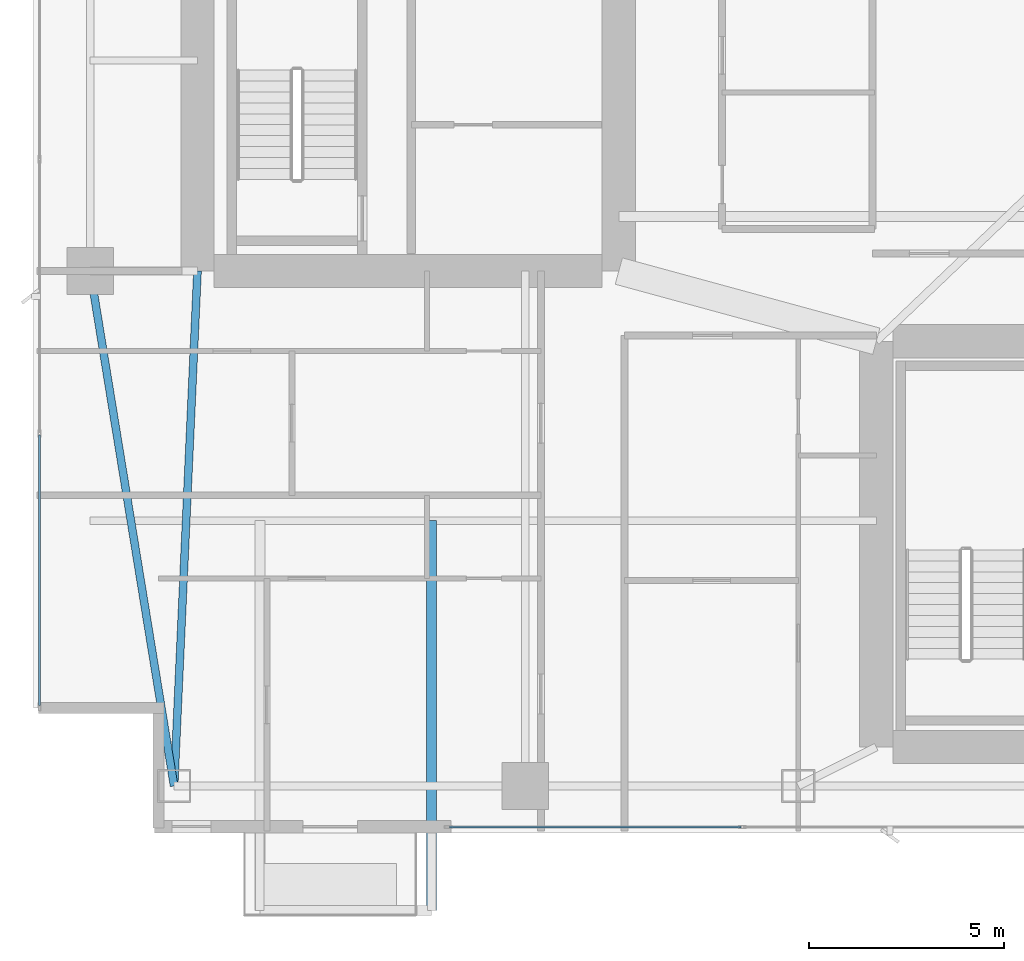
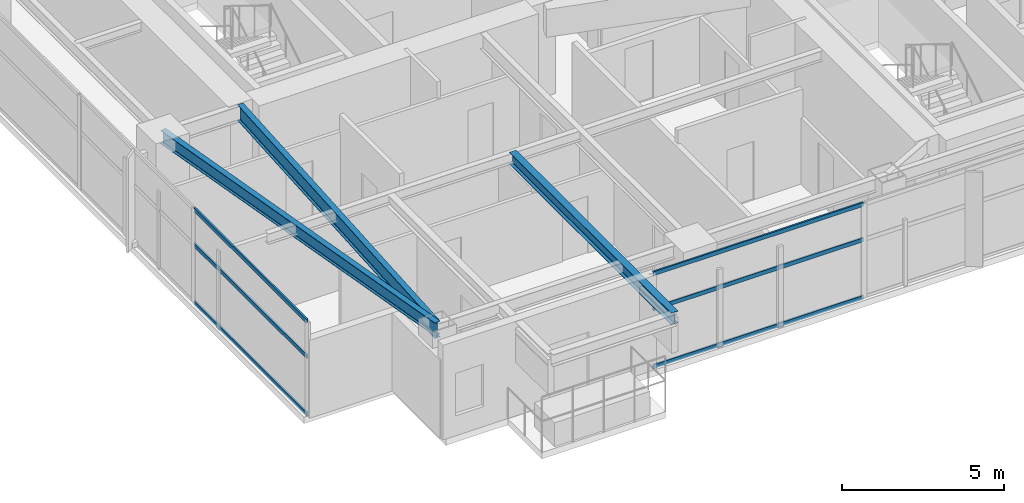
# One storey, part 3 of 29: 6 members, 3 beams, 2 elements without a shape of their own.
"""IFC4 building model written with IfcOpenShell, lengths in metres."""

from ifc_helpers import new_model, si_unit, direction, frame, origin, origin_2d, place, context, subcontext, project, spatial, hollow_rectangle, i_section, extrude, material, layer, layer_set, material_profile, profile_set, type_object, element, aggregate, save


model = new_model("IFC4")

# Units and contexts
model_context = context("Model", 3, precision=1e-05, world=origin(), true_north=direction((0.0, 1.0)))
body_context = subcontext(model_context, "Body", "Model", "MODEL_VIEW")
ifc_project = project(units=[si_unit("LENGTHUNIT", "METRE"), si_unit("AREAUNIT", "SQUARE_METRE"), si_unit("VOLUMEUNIT", "CUBIC_METRE"), si_unit("PLANEANGLEUNIT", "RADIAN"), si_unit("MASSUNIT", "GRAM", prefix="KILO")], contexts=[model_context])

# Site, building, storey
site_placement = place(None, origin())
site = spatial("IfcSite", under=ifc_project, at=site_placement, CompositionType="ELEMENT")
building_placement = place(site_placement, origin())
building = spatial("IfcBuilding", under=site, at=building_placement, Name="Calvorn Quay Hotel", CompositionType="ELEMENT")
storey_placement = place(building_placement, frame((0.0, 0.0, 148.5)))
storey = spatial("IfcBuildingStorey", under=building, at=storey_placement, Name="L36", CompositionType="ELEMENT", Elevation=148.5)

# Beams
ifc_material_1 = material(Name="Steel Q355B", Category="steel")
ifc_material_profile_1 = material_profile(ifc_material_1, i_section(OverallWidth=0.25, OverallDepth=0.449951171875, WebThickness=0.011962890625, FlangeThickness=0.01611328125, FilletRadius=0.01611328125, at=origin_2d()), Name="HN450x250x12x16")
ifc_profile_set_1 = profile_set([ifc_material_profile_1], Name="Steel Q355B")
beam_type_1 = type_object("IfcBeamType", Name="BM-CANT-BALC", PredefinedType="BEAM", material=ifc_profile_set_1)
beam_1_placement = place(storey_placement, frame((10.199951171875, 10.39990234375, 3.31494140625), z_axis=(0.0, -1.0, 0.0), x_axis=(1.0, 0.0, 0.0)))
element("IfcBeam", 1, at=beam_1_placement, inside=storey, type_object=beam_type_1, Name="Cantilever Balcony Beam BCB-L37-2B", PredefinedType="BEAM", context=body_context, shape_type="SweptSolid", body=[
    extrude(i_section(OverallWidth=0.25, OverallDepth=0.449951171875, WebThickness=0.011962890625, FlangeThickness=0.01611328125, FilletRadius=0.01611328125, at=origin_2d()), origin(), (0.0, 0.0, 1.0), 9.989990234375),
])
ifc_material_2 = material(Name="Steel Q355B", Category="steel")
ifc_material_profile_2 = material_profile(ifc_material_2, i_section(OverallWidth=0.199951171875, OverallDepth=0.60009765625, WebThickness=0.010986328125, FlangeThickness=0.01708984375, FilletRadius=0.01806640625, at=origin_2d()), Name="HN600x200x11x17")
ifc_profile_set_2 = profile_set([ifc_material_profile_2], Name="Steel Q355B")
beam_type_2 = type_object("IfcBeamType", Name="BM-GIRD-TYP", PredefinedType="BEAM", material=ifc_profile_set_2)
beam_2_placement = place(storey_placement, frame((3.60009765625, 3.60009765625, 3.239990234375), z_axis=(0.045396765494, 0.998969035397, 0.0), x_axis=(-0.998969035397, 0.045396765494, 0.0)))
element("IfcBeam", 2, at=beam_2_placement, inside=storey, type_object=beam_type_2, Name="Beam BG-L36-W0", PredefinedType="BEAM", context=body_context, shape_type="SweptSolid", body=[
    extrude(i_section(OverallWidth=0.199951171875, OverallDepth=0.60009765625, WebThickness=0.010986328125, FlangeThickness=0.01708984375, FilletRadius=0.01806640625, at=origin_2d()), origin(), (0.0, 0.0, 1.0), 13.213623046875),
])
ifc_material_3 = material(Name="Steel Q355B", Category="steel")
ifc_material_profile_3 = material_profile(ifc_material_3, i_section(OverallWidth=0.199951171875, OverallDepth=0.5, WebThickness=0.010009765625, FlangeThickness=0.01611328125, FilletRadius=0.01611328125, at=origin_2d()), Name="HN500x200x10x16")
ifc_profile_set_3 = profile_set([ifc_material_profile_3], Name="Steel Q355B")
beam_type_3 = type_object("IfcBeamType", Name="BM-SPANDREL-Z1", PredefinedType="SPANDREL", material=ifc_profile_set_3)
beam_3_placement = place(storey_placement, frame((3.60009765625, 3.60009765625, 3.2900390625), z_axis=(-0.16077155054, 0.986991645627, 0.0), x_axis=(-0.986991645627, -0.16077155054, 0.0)))
element("IfcBeam", 3, at=beam_3_placement, inside=storey, type_object=beam_type_3, Name="Beam BSP-L36-W1", PredefinedType="SPANDREL", context=body_context, shape_type="SweptSolid", body=[
    extrude(i_section(OverallWidth=0.199951171875, OverallDepth=0.5, WebThickness=0.010009765625, FlangeThickness=0.01611328125, FilletRadius=0.01611328125, at=origin_2d()), origin(), (0.0, 0.0, 1.0), 13.3740234375),
])

# Curtain wall, members
ifc_material_4 = material(Name="Pale Anodised Aluminium and Low-E Glass", Category="aluminium")
ifc_layer = layer(ifc_material_4, 0.219970703125)
ifc_layer_set = layer_set([ifc_layer], Name="CW-SYS-Z2")
curtain_wall_type = type_object("IfcCurtainWallType", Name="CW-SYS-Z2", PredefinedType="NOTDEFINED", material=ifc_layer_set)
curtain_wall_1_placement = place(storey_placement, origin())
curtain_wall_1 = element("IfcCurtainWall", 4, at=curtain_wall_1_placement, inside=storey, type_object=curtain_wall_type, Name="Tower West Curtain Wall (L36)", PredefinedType="NOTDEFINED")
ifc_material_5 = material(Name="Pale Anodised Aluminium 6063-T6", Category="aluminium")
ifc_material_profile_4 = material_profile(ifc_material_5, hollow_rectangle(XDim=0.06005859375, YDim=0.14990234375, WallThickness=0.00341796875, at=origin_2d()), Name="ALU-T150x60x3.5")
ifc_profile_set_4 = profile_set([ifc_material_profile_4], Name="Pale Anodised Aluminium 6063-T6")
member_type = type_object("IfcMemberType", Name="CW-SYS-Z2-TRN", PredefinedType="USERDEFINED", material=ifc_profile_set_4)
member_1_placement = place(storey_placement, frame((0.14990234375, 5.659912109375, 0.030029296875), z_axis=(0.0, 1.0, 0.0), x_axis=(-1.0, 0.0, 0.0)))
member_1 = element("IfcMember", 5, at=member_1_placement, type_object=member_type, Name="CW-L36-W transom 1.1", ObjectType="TRANSOM", PredefinedType="USERDEFINED", context=body_context, shape_type="SweptSolid", body=[
    extrude(hollow_rectangle(XDim=0.06005859375, YDim=0.14990234375, WallThickness=0.00341796875, at=origin_2d()), origin(), (0.0, 0.0, 1.0), 6.943359375),
])
member_2_placement = place(storey_placement, frame((0.14990234375, 5.659912109375, 2.199951171875), z_axis=(0.0, 1.0, 0.0), x_axis=(-1.0, 0.0, 0.0)))
member_2 = element("IfcMember", 6, at=member_2_placement, type_object=member_type, Name="CW-L36-W transom 1.2", ObjectType="TRANSOM", PredefinedType="USERDEFINED", context=body_context, shape_type="SweptSolid", body=[
    extrude(hollow_rectangle(XDim=0.06005859375, YDim=0.14990234375, WallThickness=0.00341796875, at=origin_2d()), origin(), (0.0, 0.0, 1.0), 6.943359375),
])
member_3_placement = place(storey_placement, frame((0.14990234375, 5.659912109375, 3.530029296875), z_axis=(0.0, 1.0, 0.0), x_axis=(-1.0, 0.0, 0.0)))
member_3 = element("IfcMember", 7, at=member_3_placement, type_object=member_type, Name="CW-L36-W transom 1.3", ObjectType="TRANSOM", PredefinedType="USERDEFINED", context=body_context, shape_type="SweptSolid", body=[
    extrude(hollow_rectangle(XDim=0.06005859375, YDim=0.14990234375, WallThickness=0.00341796875, at=origin_2d()), origin(), (0.0, 0.0, 1.0), 6.943359375),
])
aggregate(curtain_wall_1, [member_1, member_2, member_3])

curtain_wall_2_placement = place(storey_placement, origin())
curtain_wall_2 = element("IfcCurtainWall", 8, at=curtain_wall_2_placement, inside=storey, type_object=curtain_wall_type, Name="Tower South Waterfront Curtain Wall (L36)", PredefinedType="NOTDEFINED")
member_4_placement = place(storey_placement, frame((10.659912109375, 2.550048828125, 0.030029296875), z_axis=(1.0, 0.0, 0.0), x_axis=(0.0, 1.0, 0.0)))
member_4 = element("IfcMember", 9, at=member_4_placement, type_object=member_type, Name="CW-L36-S transom 1.1", ObjectType="TRANSOM", PredefinedType="USERDEFINED", context=body_context, shape_type="SweptSolid", body=[
    extrude(hollow_rectangle(XDim=0.06005859375, YDim=0.14990234375, WallThickness=0.00341796875, at=origin_2d()), origin(), (0.0, 0.0, 1.0), 7.476806640625),
])
member_5_placement = place(storey_placement, frame((10.659912109375, 2.550048828125, 2.199951171875), z_axis=(1.0, 0.0, 0.0), x_axis=(0.0, 1.0, 0.0)))
member_5 = element("IfcMember", 10, at=member_5_placement, type_object=member_type, Name="CW-L36-S transom 1.2", ObjectType="TRANSOM", PredefinedType="USERDEFINED", context=body_context, shape_type="SweptSolid", body=[
    extrude(hollow_rectangle(XDim=0.06005859375, YDim=0.14990234375, WallThickness=0.00341796875, at=origin_2d()), origin(), (0.0, 0.0, 1.0), 7.476806640625),
])
member_6_placement = place(storey_placement, frame((10.659912109375, 2.550048828125, 3.530029296875), z_axis=(1.0, 0.0, 0.0), x_axis=(0.0, 1.0, 0.0)))
member_6 = element("IfcMember", 11, at=member_6_placement, type_object=member_type, Name="CW-L36-S transom 1.3", ObjectType="TRANSOM", PredefinedType="USERDEFINED", context=body_context, shape_type="SweptSolid", body=[
    extrude(hollow_rectangle(XDim=0.06005859375, YDim=0.14990234375, WallThickness=0.00341796875, at=origin_2d()), origin(), (0.0, 0.0, 1.0), 7.476806640625),
])
aggregate(curtain_wall_2, [member_4, member_5, member_6])

save(model, "model.ifc")
